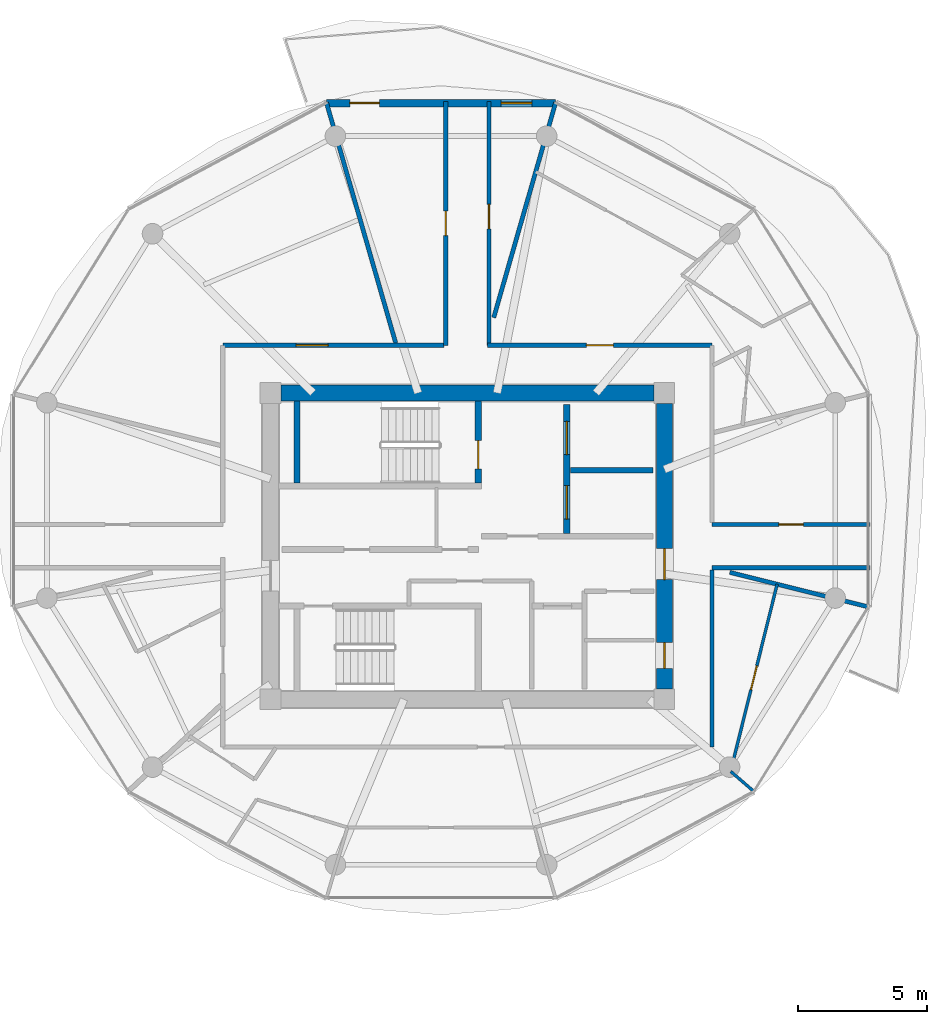
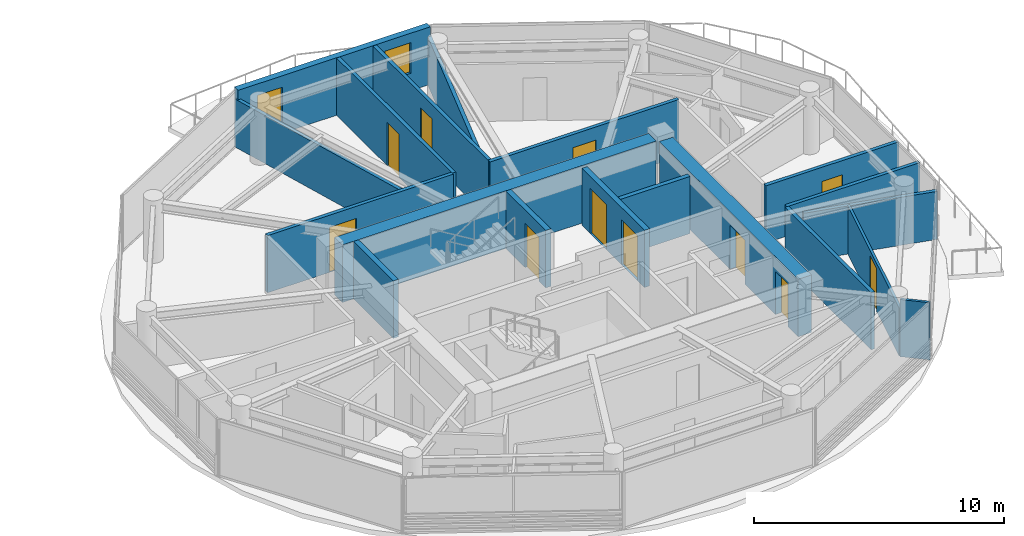
# One storey, part 16 of 22: 19 walls, 12 doors, 1 window, 13 openings.
"""IFC4 building model written with IfcOpenShell, lengths in metres."""

from ifc_helpers import new_model, si_unit, direction, frame, frame_2d, origin, place, context, subcontext, project, spatial, rectangle, extrude, source, transform, mapped, material, layer, layer_set, type_object, type_shapes, element, fill, save


model = new_model("IFC4")

# Units and contexts
model_context = context("Model", 3, precision=1e-05, world=origin(), true_north=direction((0.0, 1.0)))
body_context = subcontext(model_context, "Body", "Model", "MODEL_VIEW")
ifc_project = project(units=[si_unit("LENGTHUNIT", "METRE"), si_unit("AREAUNIT", "SQUARE_METRE"), si_unit("VOLUMEUNIT", "CUBIC_METRE"), si_unit("PLANEANGLEUNIT", "RADIAN"), si_unit("MASSUNIT", "GRAM", prefix="KILO")], contexts=[model_context])

# Site, building, storey
site_placement = place(None, origin())
site = spatial("IfcSite", under=ifc_project, at=site_placement, CompositionType="ELEMENT")
building_placement = place(site_placement, origin())
building = spatial("IfcBuilding", under=site, at=building_placement, Name="Norrkilde Senior Care Towers", CompositionType="ELEMENT")
storey_placement = place(building_placement, frame((0.0, 0.0, 170.89990234375)))
storey = spatial("IfcBuildingStorey", under=building, at=storey_placement, Name="L53", CompositionType="ELEMENT", Elevation=170.89990234375)

# Wall
ifc_material_1 = material(Name="Concrete C50/60", Category="concrete")
ifc_layer_1 = layer(ifc_material_1, 0.6201171875)
ifc_layer_set_1 = layer_set([ifc_layer_1], Name="Concrete C50/60")
wall_type_1 = type_object("IfcWallType", Name="Core Shear Wall Z3 620", PredefinedType="SHEAR", material=ifc_layer_set_1)
shared_shape_1 = source(origin(), body_context, "Body", "SweptSolid", [
    extrude(rectangle(XDim=14.5, YDim=0.6201171875, at=frame_2d((7.25, 0.0))), origin(), (0.0, 0.0, 1.0), 2.81005859375),
])
wall_1_placement = place(storey_placement, frame((20.75, 5.949951171875, 0.0), z_axis=(0.0, 0.0, 1.0), x_axis=(1.0, 0.0, 0.0)))
element("IfcWall", 1, at=wall_1_placement, inside=storey, type_object=wall_type_1, Name="L53 Core E North Shear Wall", PredefinedType="SHEAR", context=body_context, shape_type="MappedRepresentation", body=[
    mapped(shared_shape_1, transform((0.0, 0.0, 0.0), x_axis=(1.0, 0.0, 0.0), y_axis=(0.0, 1.0, 0.0), z_axis=(0.0, 0.0, 1.0), scale=1.0)),
])

# Wall, openings, doors
shared_shape_2 = source(origin(), body_context, "Body", "SweptSolid", [
    extrude(rectangle(XDim=11.10009765625, YDim=0.6201171875, at=frame_2d((5.550048828125, 0.0))), origin(), (0.0, 0.0, 1.0), 2.81005859375),
])
type_shapes(wall_type_1, [shared_shape_1, shared_shape_2])
wall_2_placement = place(storey_placement, frame((35.64990234375, 5.550048828125, 0.0), z_axis=(0.0, 0.0, 1.0), x_axis=(0.0, -1.0, 0.0)))
wall_2 = element("IfcWall", 2, at=wall_2_placement, inside=storey, type_object=wall_type_1, Name="L53 Core E East Shear Wall", PredefinedType="SHEAR", context=body_context, shape_type="MappedRepresentation", body=[
    mapped(shared_shape_2, transform((0.0, 0.0, 0.0), x_axis=(1.0, 0.0, 0.0), y_axis=(0.0, 1.0, 0.0), z_axis=(0.0, 0.0, 1.0), scale=1.0)),
])
opening_1_placement = place(wall_2_placement, frame((5.64990234375, 0.0, 0.0)))
opening_1 = element("IfcOpeningElement", 3, at=opening_1_placement, cuts=wall_2, Name="Opening D-04", PredefinedType="OPENING", context=body_context, shape_type="SweptSolid", body=[
    extrude(rectangle(XDim=1.199951171875, YDim=2.14990234375, at=frame_2d((0.60009765625, 1.074951171875))), frame((0.0, 0.320068359375, 0.0), z_axis=(0.0, -1.0, 0.0), x_axis=(1.0, 0.0, 0.0)), (0.0, 0.0, 1.0), 0.64013671875),
])
opening_2_placement = place(wall_2_placement, frame((9.300048828125, 0.0, 0.0)))
opening_2 = element("IfcOpeningElement", 4, at=opening_2_placement, cuts=wall_2, Name="Opening D-10", PredefinedType="OPENING", context=body_context, shape_type="SweptSolid", body=[
    extrude(rectangle(XDim=1.0, YDim=2.10009765625, at=frame_2d((0.5, 1.050048828125))), frame((0.0, 0.320068359375, 0.0), z_axis=(0.0, -1.0, 0.0), x_axis=(1.0, 0.0, 0.0)), (0.0, 0.0, 1.0), 0.64013671875),
])
ifc_material_2 = material(Name="Galvanised Painted Steel", Category="steel")
door_type_1 = type_object("IfcDoorType", Name="Firefighting Lobby Fire Door 1200x2150", OperationType="NOTDEFINED", PredefinedType="DOOR", material=ifc_material_2)
shared_shape_3 = source(origin(), body_context, "Body", "SweptSolid", [
    extrude(rectangle(XDim=1.199951171875, YDim=2.14990234375, at=frame_2d((0.60009765625, 1.074951171875))), frame((0.0, 0.02490234375, 0.0), z_axis=(0.0, -1.0, 0.0), x_axis=(1.0, 0.0, 0.0)), (0.0, 0.0, 1.0), 0.050048828125),
])
type_shapes(door_type_1, [shared_shape_3])
door_1_placement = place(opening_1_placement, frame((1.199951171875, 0.0, 0.0), z_axis=(0.0, 0.0, 1.0), x_axis=(-1.0, 0.0, 0.0)))
door_1 = element("IfcDoor", 5, at=door_1_placement, inside=storey, type_object=door_type_1, Name="L53 Core E East Portal Door", OperationType="SINGLE_SWING_RIGHT", OverallHeight=2.14990234375, OverallWidth=1.199951171875, PredefinedType="DOOR", context=body_context, shape_type="MappedRepresentation", body=[
    mapped(shared_shape_3, transform((0.0, 0.0, 0.0), x_axis=(1.0, 0.0, 0.0), y_axis=(0.0, 1.0, 0.0), z_axis=(0.0, 0.0, 1.0), scale=1.0)),
])
fill(opening_1, door_1)
door_type_2 = type_object("IfcDoorType", Name="Plant and Riser Rated Door 1000x2100", OperationType="NOTDEFINED", PredefinedType="DOOR", material=ifc_material_2)
shared_shape_4 = source(origin(), body_context, "Body", "SweptSolid", [
    extrude(rectangle(XDim=1.0, YDim=2.10009765625, at=frame_2d((0.5, 1.050048828125))), frame((0.0, 0.02490234375, 0.0), z_axis=(0.0, -1.0, 0.0), x_axis=(1.0, 0.0, 0.0)), (0.0, 0.0, 1.0), 0.050048828125),
])
type_shapes(door_type_2, [shared_shape_4])
door_2_placement = place(opening_2_placement, frame((1.0, 0.0, 0.0), z_axis=(0.0, 0.0, 1.0), x_axis=(-1.0, 0.0, 0.0)))
door_2 = element("IfcDoor", 6, at=door_2_placement, inside=storey, type_object=door_type_2, Name="L53 Ventilation Riser E Door", OperationType="SINGLE_SWING_RIGHT", OverallHeight=2.10009765625, OverallWidth=1.0, PredefinedType="DOOR", context=body_context, shape_type="MappedRepresentation", body=[
    mapped(shared_shape_4, transform((0.0, 0.0, 0.0), x_axis=(1.0, 0.0, 0.0), y_axis=(0.0, 1.0, 0.0), z_axis=(0.0, 0.0, 1.0), scale=1.0)),
])
fill(opening_2, door_2)

# Wall, openings, door, window
ifc_material_3 = material(Name="Precast concrete C45/55", Category="concrete")
ifc_layer_2 = layer(ifc_material_3, 0.2900390625)
ifc_layer_set_2 = layer_set([ifc_layer_2], Name="Precast concrete C45/55")
wall_type_2 = type_object("IfcWallType", Name="Winter Garden Facade Wall 290", PredefinedType="SOLIDWALL", material=ifc_layer_set_2)
shared_shape_5 = source(origin(), body_context, "Body", "SweptSolid", [
    extrude(rectangle(XDim=8.89306640625, YDim=0.2900390625, at=frame_2d((4.446533203125, 0.0))), origin(), (0.0, 0.0, 1.0), 2.81005859375),
])
type_shapes(wall_type_2, [shared_shape_5])
wall_3_placement = place(storey_placement, frame((22.528564453125, 17.2109375, 0.0), z_axis=(0.0, 0.0, 1.0), x_axis=(1.0, 0.0, 0.0)))
wall_3 = element("IfcWall", 7, at=wall_3_placement, inside=storey, type_object=wall_type_2, Name="L53 Drum E Balcony Access Wall 02", PredefinedType="SOLIDWALL", context=body_context, shape_type="MappedRepresentation", body=[
    mapped(shared_shape_5, transform((0.0, 0.0, 0.0), x_axis=(1.0, 0.0, 0.0), y_axis=(0.0, 1.0, 0.0), z_axis=(0.0, 0.0, 1.0), scale=1.0)),
])
opening_3_placement = place(wall_3_placement, frame((0.89990234375, 0.0, 0.0)))
opening_3 = element("IfcOpeningElement", 8, at=opening_3_placement, cuts=wall_3, Name="Opening D-09", PredefinedType="OPENING", context=body_context, shape_type="SweptSolid", body=[
    extrude(rectangle(XDim=1.14990234375, YDim=2.25, at=frame_2d((0.574951171875, 1.125))), frame((0.0, 0.155029296875, 0.0), z_axis=(0.0, -1.0, 0.0), x_axis=(1.0, 0.0, 0.0)), (0.0, 0.0, 1.0), 0.31005859375),
])
opening_4_placement = place(wall_3_placement, frame((6.776611328125, 0.0, 0.85009765625)))
opening_4 = element("IfcOpeningElement", 9, at=opening_4_placement, cuts=wall_3, Name="Opening WN-07", PredefinedType="OPENING", context=body_context, shape_type="SweptSolid", body=[
    extrude(rectangle(XDim=1.199951171875, YDim=1.5, at=frame_2d((0.60009765625, 0.75))), frame((0.0, 0.155029296875, 0.0), z_axis=(0.0, -1.0, 0.0), x_axis=(1.0, 0.0, 0.0)), (0.0, 0.0, 1.0), 0.31005859375),
])
ifc_material_4 = material(Name="Anodised Aluminium", Category="aluminium")
door_type_3 = type_object("IfcDoorType", Name="Terrace and Balcony Glazed Door 1150x2250", OperationType="NOTDEFINED", PredefinedType="DOOR", material=ifc_material_4)
shared_shape_6 = source(origin(), body_context, "Body", "SweptSolid", [
    extrude(rectangle(XDim=1.14990234375, YDim=2.25, at=frame_2d((0.574951171875, 1.125))), frame((0.0, 0.02490234375, 0.0), z_axis=(0.0, -1.0, 0.0), x_axis=(1.0, 0.0, 0.0)), (0.0, 0.0, 1.0), 0.050048828125),
])
type_shapes(door_type_3, [shared_shape_6])
door_3_placement = place(opening_3_placement, origin())
door_3 = element("IfcDoor", 10, at=door_3_placement, inside=storey, type_object=door_type_3, Name="L53 Drum E Outdoor Terrace Door 02", OperationType="SINGLE_SWING_LEFT", OverallHeight=2.25, OverallWidth=1.14990234375, PredefinedType="DOOR", context=body_context, shape_type="MappedRepresentation", body=[
    mapped(shared_shape_6, transform((0.0, 0.0, 0.0), x_axis=(1.0, 0.0, 0.0), y_axis=(0.0, 1.0, 0.0), z_axis=(0.0, 0.0, 1.0), scale=1.0)),
])
fill(opening_3, door_3)
ifc_material_5 = material(Name="Triple Low-E Insulated Glazing", Category="glass")
window_type = type_object("IfcWindowType", Name="Stairwell Smoke Vent Window 1200x1500", PartitioningType="SINGLE_PANEL", PredefinedType="WINDOW", material=ifc_material_5)
shared_shape_7 = source(origin(), body_context, "Body", "SweptSolid", [
    extrude(rectangle(XDim=1.199951171875, YDim=1.5, at=frame_2d((0.60009765625, 0.75))), frame((0.0, 0.030029296875, 0.0), z_axis=(0.0, -1.0, 0.0), x_axis=(1.0, 0.0, 0.0)), (0.0, 0.0, 1.0), 0.06005859375),
])
type_shapes(window_type, [shared_shape_7])
window_placement = place(opening_4_placement, origin())
window = element("IfcWindow", 11, at=window_placement, inside=storey, type_object=window_type, Name="L53 Drum E Winter Garden Window 02", OverallHeight=1.5, OverallWidth=1.199951171875, PartitioningType="SINGLE_PANEL", PredefinedType="WINDOW", context=body_context, shape_type="MappedRepresentation", body=[
    mapped(shared_shape_7, transform((0.0, 0.0, 0.0), x_axis=(1.0, 0.0, 0.0), y_axis=(0.0, 1.0, 0.0), z_axis=(0.0, 0.0, 1.0), scale=1.0)),
])
fill(opening_4, window)

# Wall
ifc_material_6 = material(Name="Concrete C45/55", Category="concrete")
ifc_layer_3 = layer(ifc_material_6, 0.239990234375)
ifc_layer_set_3 = layer_set([ifc_layer_3], Name="Concrete C45/55")
wall_type_3 = type_object("IfcWallType", Name="Shaft and Stair Enclosure Wall 240", PredefinedType="PARTITIONING", material=ifc_layer_set_3)
shared_shape_8 = source(origin(), body_context, "Body", "SweptSolid", [
    extrude(rectangle(XDim=3.18994140625, YDim=0.239990234375, at=frame_2d((1.594970703125, 0.0))), origin(), (0.0, 0.0, 1.0), 2.81005859375),
])
type_shapes(wall_type_3, [shared_shape_8])
wall_4_placement = place(storey_placement, frame((21.3798828125, 2.449951171875, 0.0), z_axis=(0.0, 0.0, 1.0), x_axis=(0.0, 1.0, 0.0)))
element("IfcWall", 12, at=wall_4_placement, inside=storey, type_object=wall_type_3, Name="WL-INT-L53-E-ST1W", PredefinedType="PARTITIONING", context=body_context, shape_type="MappedRepresentation", body=[
    mapped(shared_shape_8, transform((0.0, 0.0, 0.0), x_axis=(1.0, 0.0, 0.0), y_axis=(0.0, 1.0, 0.0), z_axis=(0.0, 0.0, 1.0), scale=1.0)),
])

# Wall, opening, door
wall_5_placement = place(storey_placement, frame((28.419921875, 2.449951171875, 0.0), z_axis=(0.0, 0.0, 1.0), x_axis=(0.0, 1.0, 0.0)))
wall_5 = element("IfcWall", 13, at=wall_5_placement, inside=storey, type_object=wall_type_3, Name="WL-INT-L53-E-ST1E", PredefinedType="PARTITIONING", context=body_context, shape_type="MappedRepresentation", body=[
    mapped(shared_shape_8, transform((0.0, 0.0, 0.0), x_axis=(1.0, 0.0, 0.0), y_axis=(0.0, 1.0, 0.0), z_axis=(0.0, 0.0, 1.0), scale=1.0)),
])
opening_5_placement = place(wall_5_placement, frame((0.550048828125, 0.0, 0.0)))
opening_5 = element("IfcOpeningElement", 14, at=opening_5_placement, cuts=wall_5, Name="Opening D-03", PredefinedType="OPENING", context=body_context, shape_type="SweptSolid", body=[
    extrude(rectangle(XDim=1.10009765625, YDim=2.14990234375, at=frame_2d((0.550048828125, 1.074951171875))), frame((0.0, 0.1298828125, 0.0), z_axis=(0.0, -1.0, 0.0), x_axis=(1.0, 0.0, 0.0)), (0.0, 0.0, 1.0), 0.260009765625),
])
door_type_4 = type_object("IfcDoorType", Name="Stairwell Protected Fire Door 1100x2150", OperationType="NOTDEFINED", PredefinedType="DOOR", material=ifc_material_2)
shared_shape_9 = source(origin(), body_context, "Body", "SweptSolid", [
    extrude(rectangle(XDim=1.10009765625, YDim=2.14990234375, at=frame_2d((0.550048828125, 1.074951171875))), frame((0.0, 0.02490234375, 0.0), z_axis=(0.0, -1.0, 0.0), x_axis=(1.0, 0.0, 0.0)), (0.0, 0.0, 1.0), 0.050048828125),
])
type_shapes(door_type_4, [shared_shape_9])
door_4_placement = place(opening_5_placement, origin())
door_4 = element("IfcDoor", 15, at=door_4_placement, inside=storey, type_object=door_type_4, Name="L53 Stair E1 Fire Door", OperationType="SINGLE_SWING_LEFT", OverallHeight=2.14990234375, OverallWidth=1.10009765625, PredefinedType="DOOR", context=body_context, shape_type="MappedRepresentation", body=[
    mapped(shared_shape_9, transform((0.0, 0.0, 0.0), x_axis=(1.0, 0.0, 0.0), y_axis=(0.0, 1.0, 0.0), z_axis=(0.0, 0.0, 1.0), scale=1.0)),
])
fill(opening_5, door_4)

# Wall, openings, doors
ifc_layer_4 = layer(ifc_material_6, 0.239990234375)
ifc_layer_set_4 = layer_set([ifc_layer_4], Name="Concrete C45/55")
wall_type_4 = type_object("IfcWallType", Name="Lift and Plant Rated Enclosure Partition 240", PredefinedType="PARTITIONING", material=ifc_layer_set_4)
shared_shape_10 = source(origin(), body_context, "Body", "SweptSolid", [
    extrude(rectangle(XDim=5.0, YDim=0.239990234375, at=frame_2d((2.5, 0.0))), origin(), (0.0, 0.0, 1.0), 2.795166015625),
])
type_shapes(wall_type_4, [shared_shape_10])
wall_6_placement = place(storey_placement, frame((31.860107421875, 0.5, 0.0), z_axis=(0.0, 0.0, 1.0), x_axis=(0.0, 1.0, 0.0)))
wall_6 = element("IfcWall", 16, at=wall_6_placement, inside=storey, type_object=wall_type_4, Name="WL-INT-L53-E-FFLE", PredefinedType="PARTITIONING", context=body_context, shape_type="MappedRepresentation", body=[
    mapped(shared_shape_10, transform((0.0, 0.0, 0.0), x_axis=(1.0, 0.0, 0.0), y_axis=(0.0, 1.0, 0.0), z_axis=(0.0, 0.0, 1.0), scale=1.0)),
])
opening_6_placement = place(wall_6_placement, frame((3.050048828125, 0.0, 0.0)))
opening_6 = element("IfcOpeningElement", 17, at=opening_6_placement, cuts=wall_6, Name="Opening LD-02", PredefinedType="OPENING", context=body_context, shape_type="SweptSolid", body=[
    extrude(rectangle(XDim=1.300048828125, YDim=2.199951171875, at=frame_2d((0.64990234375, 1.10009765625))), frame((0.0, 0.1298828125, 0.0), z_axis=(0.0, -1.0, 0.0), x_axis=(1.0, 0.0, 0.0)), (0.0, 0.0, 1.0), 0.260009765625),
])
opening_7_placement = place(wall_6_placement, frame((0.550048828125, 0.0, 0.0)))
opening_7 = element("IfcOpeningElement", 18, at=opening_7_placement, cuts=wall_6, Name="Opening LD-02", PredefinedType="OPENING", context=body_context, shape_type="SweptSolid", body=[
    extrude(rectangle(XDim=1.300048828125, YDim=2.199951171875, at=frame_2d((0.64990234375, 1.10009765625))), frame((0.0, 0.1298828125, 0.0), z_axis=(0.0, -1.0, 0.0), x_axis=(1.0, 0.0, 0.0)), (0.0, 0.0, 1.0), 0.260009765625),
])
ifc_material_7 = material(Name="Stainless Steel", Category="steel")
door_type_5 = type_object("IfcDoorType", Name="Stretcher and FFL Landing Sliding Door 1300x2200", OperationType="NOTDEFINED", PredefinedType="DOOR", material=ifc_material_7)
shared_shape_11 = source(origin(), body_context, "Body", "SweptSolid", [
    extrude(rectangle(XDim=1.300048828125, YDim=2.199951171875, at=frame_2d((0.64990234375, 1.10009765625))), frame((0.0, 0.02490234375, 0.0), z_axis=(0.0, -1.0, 0.0), x_axis=(1.0, 0.0, 0.0)), (0.0, 0.0, 1.0), 0.050048828125),
])
type_shapes(door_type_5, [shared_shape_11])
door_5_placement = place(opening_6_placement, origin())
door_5 = element("IfcDoor", 19, at=door_5_placement, inside=storey, type_object=door_type_5, Name="L53 Firefighting Lift E1 Landing Door", OperationType="SLIDING_TO_LEFT", OverallHeight=2.199951171875, OverallWidth=1.300048828125, PredefinedType="DOOR", context=body_context, shape_type="MappedRepresentation", body=[
    mapped(shared_shape_11, transform((0.0, 0.0, 0.0), x_axis=(1.0, 0.0, 0.0), y_axis=(0.0, 1.0, 0.0), z_axis=(0.0, 0.0, 1.0), scale=1.0)),
])
fill(opening_6, door_5)
door_6_placement = place(opening_7_placement, origin())
door_6 = element("IfcDoor", 20, at=door_6_placement, inside=storey, type_object=door_type_5, Name="L53 Stretcher Lift E1 Landing Door", OperationType="SLIDING_TO_RIGHT", OverallHeight=2.199951171875, OverallWidth=1.300048828125, PredefinedType="DOOR", context=body_context, shape_type="MappedRepresentation", body=[
    mapped(shared_shape_11, transform((0.0, 0.0, 0.0), x_axis=(1.0, 0.0, 0.0), y_axis=(0.0, 1.0, 0.0), z_axis=(0.0, 0.0, 1.0), scale=1.0)),
])
fill(opening_7, door_6)

# Walls
ifc_layer_5 = layer(ifc_material_6, 0.199951171875)
ifc_layer_set_5 = layer_set([ifc_layer_5], Name="Concrete C45/55")
wall_type_5 = type_object("IfcWallType", Name="Shaft Division and Plant Partition 200", PredefinedType="PARTITIONING", material=ifc_layer_set_5)
shared_shape_12 = source(origin(), body_context, "Body", "SweptSolid", [
    extrude(rectangle(XDim=3.199951171875, YDim=0.199951171875, at=frame_2d((1.60009765625, 0.0))), origin(), (0.0, 0.0, 1.0), 2.795166015625),
])
type_shapes(wall_type_5, [shared_shape_12])
wall_7_placement = place(storey_placement, frame((32.0, 2.949951171875, 0.0), z_axis=(0.0, 0.0, 1.0), x_axis=(1.0, 0.0, 0.0)))
element("IfcWall", 21, at=wall_7_placement, inside=storey, type_object=wall_type_5, Name="WL-INT-L53-E-FFLDIV", PredefinedType="PARTITIONING", context=body_context, shape_type="MappedRepresentation", body=[
    mapped(shared_shape_12, transform((0.0, 0.0, 0.0), x_axis=(1.0, 0.0, 0.0), y_axis=(0.0, 1.0, 0.0), z_axis=(0.0, 0.0, 1.0), scale=1.0)),
])
ifc_material_8 = material(Name="Gypsum Acoustic Board")
ifc_layer_6 = layer(ifc_material_8, 0.1650390625)
ifc_layer_set_6 = layer_set([ifc_layer_6], Name="Gypsum Acoustic Board")
wall_type_6 = type_object("IfcWallType", Name="Corridor Rated Partition 165", PredefinedType="PARTITIONING", material=ifc_layer_set_6)
shared_shape_13 = source(origin(), body_context, "Body", "SweptSolid", [
    extrude(rectangle(XDim=9.73046875, YDim=0.1650390625, at=frame_2d((4.865234375, 0.0))), origin(), (0.0, 0.0, 1.0), 2.34521484375),
])
wall_8_placement = place(storey_placement, frame((25.216552734375, 7.8798828125, 0.0), z_axis=(0.0, 0.0, 1.0), x_axis=(-0.27679492614, 0.960929013436, 0.0)))
element("IfcWall", 22, at=wall_8_placement, inside=storey, type_object=wall_type_6, Name="WL-INT-L53-E-DEM-03-0", PredefinedType="PARTITIONING", context=body_context, shape_type="MappedRepresentation", body=[
    mapped(shared_shape_13, transform((0.0, 0.0, 0.0), x_axis=(1.0, 0.0, 0.0), y_axis=(0.0, 1.0, 0.0), z_axis=(0.0, 0.0, 1.0), scale=1.0)),
])

# Wall, opening, door
shared_shape_14 = source(origin(), body_context, "Body", "SweptSolid", [
    extrude(rectangle(XDim=8.719482421875, YDim=0.1650390625, at=frame_2d((4.35986328125, 0.0))), origin(), (0.0, 0.0, 1.0), 2.795166015625),
])
wall_9_placement = place(storey_placement, frame((28.780517578125, 7.800048828125, 0.0), z_axis=(0.0, 0.0, 1.0), x_axis=(1.0, 0.0, 0.0)))
wall_9 = element("IfcWall", 23, at=wall_9_placement, inside=storey, type_object=wall_type_6, Name="WL-INT-L53-E-CRW-N-1", PredefinedType="PARTITIONING", context=body_context, shape_type="MappedRepresentation", body=[
    mapped(shared_shape_14, transform((0.0, 0.0, 0.0), x_axis=(1.0, 0.0, 0.0), y_axis=(0.0, 1.0, 0.0), z_axis=(0.0, 0.0, 1.0), scale=1.0)),
])
opening_8_placement = place(wall_9_placement, frame((3.834716796875, 0.0, 0.0)))
opening_8 = element("IfcOpeningElement", 24, at=opening_8_placement, cuts=wall_9, Name="Opening D-06", PredefinedType="OPENING", context=body_context, shape_type="SweptSolid", body=[
    extrude(rectangle(XDim=1.050048828125, YDim=2.14990234375, at=frame_2d((0.52490234375, 1.074951171875))), frame((0.0, 0.092529296875, 0.0), z_axis=(0.0, -1.0, 0.0), x_axis=(1.0, 0.0, 0.0)), (0.0, 0.0, 1.0), 0.18505859375),
])
ifc_material_9 = material(Name="Nordic Ash Timber", Category="wood")
door_type_6 = type_object("IfcDoorType", Name="Apartment Entrance Fire Door 1050x2150", OperationType="NOTDEFINED", PredefinedType="DOOR", material=ifc_material_9)
shared_shape_15 = source(origin(), body_context, "Body", "SweptSolid", [
    extrude(rectangle(XDim=1.050048828125, YDim=2.14990234375, at=frame_2d((0.52490234375, 1.074951171875))), frame((0.0, 0.02490234375, 0.0), z_axis=(0.0, -1.0, 0.0), x_axis=(1.0, 0.0, 0.0)), (0.0, 0.0, 1.0), 0.050048828125),
])
type_shapes(door_type_6, [shared_shape_15])
door_7_placement = place(opening_8_placement, frame((1.050048828125, 0.0, 0.0), z_axis=(0.0, 0.0, 1.0), x_axis=(-1.0, 0.0, 0.0)))
door_7 = element("IfcDoor", 25, at=door_7_placement, inside=storey, type_object=door_type_6, Name="Apartment 53A Entrance Door", OperationType="SINGLE_SWING_LEFT", OverallHeight=2.14990234375, OverallWidth=1.050048828125, PredefinedType="DOOR", context=body_context, shape_type="MappedRepresentation", body=[
    mapped(shared_shape_15, transform((0.0, 0.0, 0.0), x_axis=(1.0, 0.0, 0.0), y_axis=(0.0, 1.0, 0.0), z_axis=(0.0, 0.0, 1.0), scale=1.0)),
])
fill(opening_8, door_7)

shared_shape_16 = source(origin(), body_context, "Body", "SweptSolid", [
    extrude(rectangle(XDim=8.580078125, YDim=0.1650390625, at=frame_2d((4.2900390625, 0.0))), origin(), (0.0, 0.0, 1.0), 2.795166015625),
])
wall_10_placement = place(storey_placement, frame((18.5, 7.800048828125, 0.0), z_axis=(0.0, 0.0, 1.0), x_axis=(1.0, 0.0, 0.0)))
wall_10 = element("IfcWall", 26, at=wall_10_placement, inside=storey, type_object=wall_type_6, Name="WL-INT-L53-E-CRW-N-0", PredefinedType="PARTITIONING", context=body_context, shape_type="MappedRepresentation", body=[
    mapped(shared_shape_16, transform((0.0, 0.0, 0.0), x_axis=(1.0, 0.0, 0.0), y_axis=(0.0, 1.0, 0.0), z_axis=(0.0, 0.0, 1.0), scale=1.0)),
])
opening_9_placement = place(wall_10_placement, frame((2.8427734375, 0.0, 0.0)))
opening_9 = element("IfcOpeningElement", 27, at=opening_9_placement, cuts=wall_10, Name="Opening D-05", PredefinedType="OPENING", context=body_context, shape_type="SweptSolid", body=[
    extrude(rectangle(XDim=1.25, YDim=2.199951171875, at=frame_2d((0.625, 1.10009765625))), frame((0.0, 0.092529296875, 0.0), z_axis=(0.0, -1.0, 0.0), x_axis=(1.0, 0.0, 0.0)), (0.0, 0.0, 1.0), 0.18505859375),
])
door_type_7 = type_object("IfcDoorType", Name="Care Bedroom Bariatric Door 1250x2200", OperationType="NOTDEFINED", PredefinedType="DOOR", material=ifc_material_9)
shared_shape_17 = source(origin(), body_context, "Body", "SweptSolid", [
    extrude(rectangle(XDim=1.25, YDim=2.199951171875, at=frame_2d((0.625, 1.10009765625))), frame((0.0, 0.02490234375, 0.0), z_axis=(0.0, -1.0, 0.0), x_axis=(1.0, 0.0, 0.0)), (0.0, 0.0, 1.0), 0.050048828125),
])
type_shapes(door_type_7, [shared_shape_17])
door_8_placement = place(opening_9_placement, frame((1.25, 0.0, 0.0), z_axis=(0.0, 0.0, 1.0), x_axis=(-1.0, 0.0, 0.0)))
door_8 = element("IfcDoor", 28, at=door_8_placement, inside=storey, type_object=door_type_7, Name="L53 Care Coordination Charting Office Door", OperationType="SINGLE_SWING_RIGHT", OverallHeight=2.199951171875, OverallWidth=1.25, PredefinedType="DOOR", context=body_context, shape_type="MappedRepresentation", body=[
    mapped(shared_shape_17, transform((0.0, 0.0, 0.0), x_axis=(1.0, 0.0, 0.0), y_axis=(0.0, 1.0, 0.0), z_axis=(0.0, 0.0, 1.0), scale=1.0)),
])
fill(opening_9, door_8)

# Wall
shared_shape_18 = source(origin(), body_context, "Body", "SweptSolid", [
    extrude(rectangle(XDim=6.880126953125, YDim=0.1650390625, at=frame_2d((3.43994140625, 0.0))), origin(), (0.0, 0.0, 1.0), 2.795166015625),
])
wall_11_placement = place(storey_placement, frame((37.5, -0.919921875, 0.0), z_axis=(0.0, 0.0, 1.0), x_axis=(0.0, -1.0, 0.0)))
element("IfcWall", 29, at=wall_11_placement, inside=storey, type_object=wall_type_6, Name="WL-INT-L53-E-CRW-E-1", PredefinedType="PARTITIONING", context=body_context, shape_type="MappedRepresentation", body=[
    mapped(shared_shape_18, transform((0.0, 0.0, 0.0), x_axis=(1.0, 0.0, 0.0), y_axis=(0.0, 1.0, 0.0), z_axis=(0.0, 0.0, 1.0), scale=1.0)),
])

# Wall, opening, door
shared_shape_19 = source(origin(), body_context, "Body", "SweptSolid", [
    extrude(rectangle(XDim=9.480224609375, YDim=0.1650390625, at=frame_2d((4.740234375, 0.0))), origin(), (0.0, 0.0, 1.0), 2.795166015625),
])
wall_12_placement = place(storey_placement, frame((27.159912109375, 7.800048828125, 0.0), z_axis=(0.0, 0.0, 1.0), x_axis=(0.0, 1.0, 0.0)))
wall_12 = element("IfcWall", 30, at=wall_12_placement, inside=storey, type_object=wall_type_6, Name="WL-INT-L53-E-SPK-N1-0", PredefinedType="PARTITIONING", context=body_context, shape_type="MappedRepresentation", body=[
    mapped(shared_shape_19, transform((0.0, 0.0, 0.0), x_axis=(1.0, 0.0, 0.0), y_axis=(0.0, 1.0, 0.0), z_axis=(0.0, 0.0, 1.0), scale=1.0)),
])
opening_10_placement = place(wall_12_placement, frame((4.26513671875, 0.0, 0.0)))
opening_10 = element("IfcOpeningElement", 31, at=opening_10_placement, cuts=wall_12, Name="Opening D-07", PredefinedType="OPENING", context=body_context, shape_type="SweptSolid", body=[
    extrude(rectangle(XDim=0.949951171875, YDim=2.10009765625, at=frame_2d((0.47509765625, 1.050048828125))), frame((0.0, 0.092529296875, 0.0), z_axis=(0.0, -1.0, 0.0), x_axis=(1.0, 0.0, 0.0)), (0.0, 0.0, 1.0), 0.18505859375),
])
door_type_8 = type_object("IfcDoorType", Name="Internal Suite Bedroom Door 950x2100", OperationType="NOTDEFINED", PredefinedType="DOOR", material=ifc_material_9)
shared_shape_20 = source(origin(), body_context, "Body", "SweptSolid", [
    extrude(rectangle(XDim=0.949951171875, YDim=2.10009765625, at=frame_2d((0.47509765625, 1.050048828125))), frame((0.0, 0.02490234375, 0.0), z_axis=(0.0, -1.0, 0.0), x_axis=(1.0, 0.0, 0.0)), (0.0, 0.0, 1.0), 0.050048828125),
])
type_shapes(door_type_8, [shared_shape_20])
door_9_placement = place(opening_10_placement, frame((0.949951171875, 0.0, 0.0), z_axis=(0.0, 0.0, 1.0), x_axis=(-1.0, 0.0, 0.0)))
door_9 = element("IfcDoor", 32, at=door_9_placement, inside=storey, type_object=door_type_8, Name="L53 Sun Reading Lounge 3 Door", OperationType="SINGLE_SWING_RIGHT", OverallHeight=2.10009765625, OverallWidth=0.949951171875, PredefinedType="DOOR", context=body_context, shape_type="MappedRepresentation", body=[
    mapped(shared_shape_20, transform((0.0, 0.0, 0.0), x_axis=(1.0, 0.0, 0.0), y_axis=(0.0, 1.0, 0.0), z_axis=(0.0, 0.0, 1.0), scale=1.0)),
])
fill(opening_10, door_9)

wall_13_placement = place(storey_placement, frame((28.840087890625, 17.2802734375, 0.0), z_axis=(0.0, 0.0, 1.0), x_axis=(0.0, -1.0, 0.0)))
wall_13 = element("IfcWall", 33, at=wall_13_placement, inside=storey, type_object=wall_type_6, Name="WL-INT-L53-E-SPK-N2-0", PredefinedType="PARTITIONING", context=body_context, shape_type="MappedRepresentation", body=[
    mapped(shared_shape_19, transform((0.0, 0.0, 0.0), x_axis=(1.0, 0.0, 0.0), y_axis=(0.0, 1.0, 0.0), z_axis=(0.0, 0.0, 1.0), scale=1.0)),
])
opening_11_placement = place(wall_13_placement, frame((4.009765625, 0.0, 0.0)))
opening_11 = element("IfcOpeningElement", 34, at=opening_11_placement, cuts=wall_13, Name="Opening D-07", PredefinedType="OPENING", context=body_context, shape_type="SweptSolid", body=[
    extrude(rectangle(XDim=0.949951171875, YDim=2.10009765625, at=frame_2d((0.47509765625, 1.050048828125))), frame((0.0, 0.092529296875, 0.0), z_axis=(0.0, -1.0, 0.0), x_axis=(1.0, 0.0, 0.0)), (0.0, 0.0, 1.0), 0.18505859375),
])
door_10_placement = place(opening_11_placement, frame((0.949951171875, 0.0, 0.0), z_axis=(0.0, 0.0, 1.0), x_axis=(-1.0, 0.0, 0.0)))
door_10 = element("IfcDoor", 35, at=door_10_placement, inside=storey, type_object=door_type_8, Name="L53 Sun Reading Lounge 4 Door", OperationType="SINGLE_SWING_LEFT", OverallHeight=2.10009765625, OverallWidth=0.949951171875, PredefinedType="DOOR", context=body_context, shape_type="MappedRepresentation", body=[
    mapped(shared_shape_20, transform((0.0, 0.0, 0.0), x_axis=(1.0, 0.0, 0.0), y_axis=(0.0, 1.0, 0.0), z_axis=(0.0, 0.0, 1.0), scale=1.0)),
])
fill(opening_11, door_10)

shared_shape_21 = source(origin(), body_context, "Body", "SweptSolid", [
    extrude(rectangle(XDim=6.138916015625, YDim=0.1650390625, at=frame_2d((3.0693359375, 0.0))), origin(), (0.0, 0.0, 1.0), 2.795166015625),
])
wall_14_placement = place(storey_placement, frame((37.5, 0.840087890625, 0.0), z_axis=(0.0, 0.0, 1.0), x_axis=(1.0, 0.0, 0.0)))
wall_14 = element("IfcWall", 36, at=wall_14_placement, inside=storey, type_object=wall_type_6, Name="WL-INT-L53-E-SPK-E1-0", PredefinedType="PARTITIONING", context=body_context, shape_type="MappedRepresentation", body=[
    mapped(shared_shape_21, transform((0.0, 0.0, 0.0), x_axis=(1.0, 0.0, 0.0), y_axis=(0.0, 1.0, 0.0), z_axis=(0.0, 0.0, 1.0), scale=1.0)),
])
opening_12_placement = place(wall_14_placement, frame((2.594482421875, 0.0, 0.0)))
opening_12 = element("IfcOpeningElement", 37, at=opening_12_placement, cuts=wall_14, Name="Opening D-07", PredefinedType="OPENING", context=body_context, shape_type="SweptSolid", body=[
    extrude(rectangle(XDim=0.949951171875, YDim=2.10009765625, at=frame_2d((0.47509765625, 1.050048828125))), frame((0.0, 0.092529296875, 0.0), z_axis=(0.0, -1.0, 0.0), x_axis=(1.0, 0.0, 0.0)), (0.0, 0.0, 1.0), 0.18505859375),
])
door_11_placement = place(opening_12_placement, frame((0.949951171875, 0.0, 0.0), z_axis=(0.0, 0.0, 1.0), x_axis=(-1.0, 0.0, 0.0)))
door_11 = element("IfcDoor", 38, at=door_11_placement, inside=storey, type_object=door_type_8, Name="L53 Sun Reading Lounge 5 Door", OperationType="SINGLE_SWING_RIGHT", OverallHeight=2.10009765625, OverallWidth=0.949951171875, PredefinedType="DOOR", context=body_context, shape_type="MappedRepresentation", body=[
    mapped(shared_shape_20, transform((0.0, 0.0, 0.0), x_axis=(1.0, 0.0, 0.0), y_axis=(0.0, 1.0, 0.0), z_axis=(0.0, 0.0, 1.0), scale=1.0)),
])
fill(opening_12, door_11)

# Walls
wall_15_placement = place(storey_placement, frame((43.638916015625, -0.840087890625, 0.0), z_axis=(0.0, 0.0, 1.0), x_axis=(-1.0, 0.0, 0.0)))
element("IfcWall", 39, at=wall_15_placement, inside=storey, type_object=wall_type_6, Name="WL-INT-L53-E-SPK-E2-0", PredefinedType="PARTITIONING", context=body_context, shape_type="MappedRepresentation", body=[
    mapped(shared_shape_21, transform((0.0, 0.0, 0.0), x_axis=(1.0, 0.0, 0.0), y_axis=(0.0, 1.0, 0.0), z_axis=(0.0, 0.0, 1.0), scale=1.0)),
])
shared_shape_22 = source(origin(), body_context, "Body", "SweptSolid", [
    extrude(rectangle(XDim=8.695068359375, YDim=0.1650390625, at=frame_2d((4.34765625, 0.0))), origin(), (0.0, 0.0, 1.0), 2.34521484375),
])
wall_16_placement = place(storey_placement, frame((29.02001953125, 8.875, 0.0), z_axis=(0.0, 0.0, 1.0), x_axis=(0.276797231892, 0.960928349263, 0.0)))
element("IfcWall", 40, at=wall_16_placement, inside=storey, type_object=wall_type_6, Name="WL-INT-L53-E-DEM-02-0", PredefinedType="PARTITIONING", context=body_context, shape_type="MappedRepresentation", body=[
    mapped(shared_shape_22, transform((0.0, 0.0, 0.0), x_axis=(1.0, 0.0, 0.0), y_axis=(0.0, 1.0, 0.0), z_axis=(0.0, 0.0, 1.0), scale=1.0)),
])
shared_shape_23 = source(origin(), body_context, "Body", "SweptSolid", [
    extrude(rectangle(XDim=5.564208984375, YDim=0.1650390625, at=frame_2d((2.7822265625, 0.0))), origin(), (0.0, 0.0, 1.0), 2.34521484375),
])
type_shapes(wall_type_6, [shared_shape_13, shared_shape_14, shared_shape_16, shared_shape_18, shared_shape_19, shared_shape_21, shared_shape_22, shared_shape_23])
wall_17_placement = place(storey_placement, frame((38.18994140625, -1.02001953125, 0.0), z_axis=(0.0, 0.0, 1.0), x_axis=(0.97031260977, -0.241854169533, 0.0)))
element("IfcWall", 41, at=wall_17_placement, inside=storey, type_object=wall_type_6, Name="WL-INT-L53-E-DEM-11-0", PredefinedType="PARTITIONING", context=body_context, shape_type="MappedRepresentation", body=[
    mapped(shared_shape_23, transform((0.0, 0.0, 0.0), x_axis=(1.0, 0.0, 0.0), y_axis=(0.0, 1.0, 0.0), z_axis=(0.0, 0.0, 1.0), scale=1.0)),
])

# Wall, opening, door
ifc_layer_7 = layer(ifc_material_8, 0.114990234375)
ifc_layer_set_7 = layer_set([ifc_layer_7], Name="Gypsum Acoustic Board")
wall_type_7 = type_object("IfcWallType", Name="Internal Room Partition 115", PredefinedType="PARTITIONING", material=ifc_layer_set_7)
shared_shape_24 = source(origin(), body_context, "Body", "SweptSolid", [
    extrude(rectangle(XDim=7.491943359375, YDim=0.114990234375, at=frame_2d((3.74609375, 0.0))), origin(), (0.0, 0.0, 1.0), 2.34521484375),
])
wall_18_placement = place(storey_placement, frame((38.223388671875, -8.748779296875, 0.0), z_axis=(0.0, 0.0, 1.0), x_axis=(0.24104782819, 0.970513237686, 0.0)))
wall_18 = element("IfcWall", 42, at=wall_18_placement, inside=storey, type_object=wall_type_7, Name="WL-INT-L53-E-UBC-07-3", PredefinedType="PARTITIONING", context=body_context, shape_type="MappedRepresentation", body=[
    mapped(shared_shape_24, transform((0.0, 0.0, 0.0), x_axis=(1.0, 0.0, 0.0), y_axis=(0.0, 1.0, 0.0), z_axis=(0.0, 0.0, 1.0), scale=1.0)),
])
opening_13_placement = place(wall_18_placement, frame((3.27099609375, 0.0, 0.0)))
opening_13 = element("IfcOpeningElement", 43, at=opening_13_placement, cuts=wall_18, Name="Opening D-07", PredefinedType="OPENING", context=body_context, shape_type="SweptSolid", body=[
    extrude(rectangle(XDim=0.949951171875, YDim=2.10009765625, at=frame_2d((0.47509765625, 1.050048828125))), frame((0.0, 0.0673828125, 0.0), z_axis=(0.0, -1.0, 0.0), x_axis=(1.0, 0.0, 0.0)), (0.0, 0.0, 1.0), 0.135009765625),
])
door_12_placement = place(opening_13_placement, origin())
door_12 = element("IfcDoor", 44, at=door_12_placement, inside=storey, type_object=door_type_8, Name="Apartment 53D Bedroom 3 Door", OperationType="SINGLE_SWING_LEFT", OverallHeight=2.10009765625, OverallWidth=0.949951171875, PredefinedType="DOOR", context=body_context, shape_type="MappedRepresentation", body=[
    mapped(shared_shape_20, transform((0.0, 0.0, 0.0), x_axis=(1.0, 0.0, 0.0), y_axis=(0.0, 1.0, 0.0), z_axis=(0.0, 0.0, 1.0), scale=1.0)),
])
fill(opening_13, door_12)

# Wall
shared_shape_25 = source(origin(), body_context, "Body", "SweptSolid", [
    extrude(rectangle(XDim=1.207763671875, YDim=0.114990234375, at=frame_2d((0.60400390625, 0.0))), origin(), (0.0, 0.0, 1.0), 2.795166015625),
])
type_shapes(wall_type_7, [shared_shape_24, shared_shape_25])
wall_19_placement = place(storey_placement, frame((38.223388671875, -8.748779296875, 0.0), z_axis=(0.0, 0.0, 1.0), x_axis=(0.75668207681, -0.653783018008, 0.0)))
element("IfcWall", 45, at=wall_19_placement, inside=storey, type_object=wall_type_7, Name="WL-INT-L53-E-UBR-07-3", PredefinedType="PARTITIONING", context=body_context, shape_type="MappedRepresentation", body=[
    mapped(shared_shape_25, transform((0.0, 0.0, 0.0), x_axis=(1.0, 0.0, 0.0), y_axis=(0.0, 1.0, 0.0), z_axis=(0.0, 0.0, 1.0), scale=1.0)),
])

save(model, "model.ifc")
